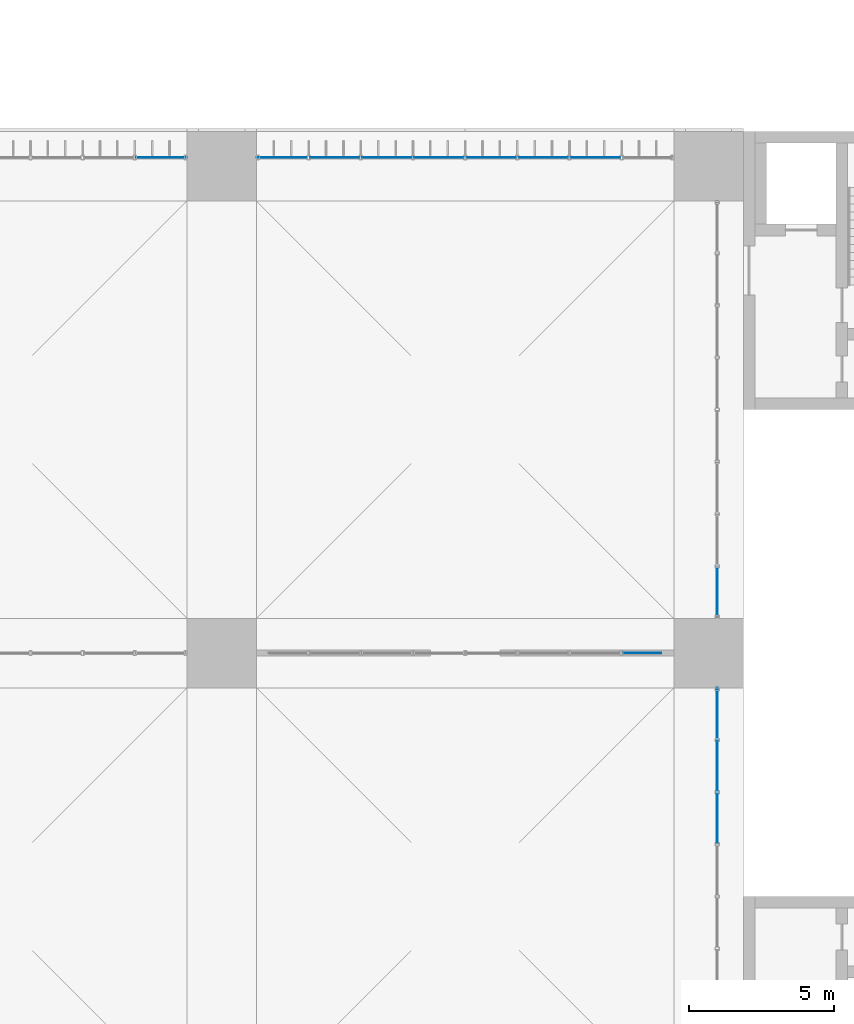
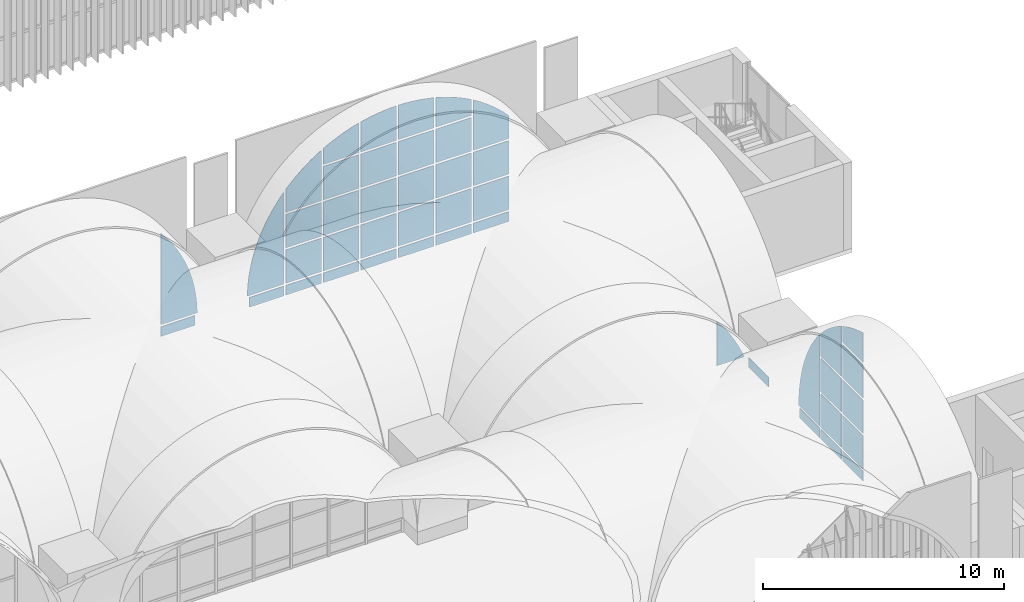
# One storey, part 93 of 169: 45 plates, 5 elements without a shape of their own.
"""IFC4 building model written with IfcOpenShell, lengths in metres."""

from ifc_helpers import new_model, si_unit, direction, frame, origin, place, context, subcontext, project, spatial, polyline, outline, extrude, material, layer, layer_set, type_object, element, aggregate, save


model = new_model("IFC4")

# Units and contexts
model_context = context("Model", 3, precision=1e-05, world=origin(), true_north=direction((0.0, 1.0)))
body_context = subcontext(model_context, "Body", "Model", "MODEL_VIEW")
ifc_project = project(units=[si_unit("LENGTHUNIT", "METRE"), si_unit("AREAUNIT", "SQUARE_METRE"), si_unit("VOLUMEUNIT", "CUBIC_METRE"), si_unit("PLANEANGLEUNIT", "RADIAN"), si_unit("MASSUNIT", "GRAM", prefix="KILO")], contexts=[model_context])

# Site, building, storey
site_placement = place(None, origin())
site = spatial("IfcSite", under=ifc_project, at=site_placement, CompositionType="ELEMENT")
building_placement = place(site_placement, origin())
building = spatial("IfcBuilding", under=site, at=building_placement, Name="Verrick Yard Athletic Hall", CompositionType="ELEMENT")
storey_placement = place(building_placement, frame((0.0, 0.0, 4.39990234375)))
storey = spatial("IfcBuildingStorey", under=building, at=storey_placement, Name="L01", CompositionType="ELEMENT", Elevation=4.39990234375)

# Curtain wall, plates
ifc_material_1 = material(Name="Aluminium and glass curtain wall", Category="aluminium")
ifc_layer_1 = layer(ifc_material_1, 0.14990234375)
ifc_layer_set_1 = layer_set([ifc_layer_1], Name="Arcade glazing arch")
curtain_wall_type_1 = type_object("IfcCurtainWallType", Name="Arcade glazing arch", PredefinedType="NOTDEFINED", material=ifc_layer_set_1)
curtain_wall_1_placement = place(storey_placement, origin())
curtain_wall_1 = element("IfcCurtainWall", 1, at=curtain_wall_1_placement, inside=storey, type_object=curtain_wall_type_1, Name="Arcade glazing N6", PredefinedType="NOTDEFINED")
ifc_material_2 = material(Name="Laminated glass 28 mm", Category="glass")
ifc_layer_2 = layer(ifc_material_2, 0.028076171875)
ifc_layer_set_2 = layer_set([ifc_layer_2], Name="Curtain wall glass panel")
plate_type = type_object("IfcPlateType", Name="Curtain wall glass panel", PredefinedType="CURTAIN_PANEL", material=ifc_layer_set_2)
plate_1_placement = place(storey_placement, frame((125.199951171875, 53.10009765625, 0.101806640625), z_axis=(0.0, 0.0, 1.0), x_axis=(1.0, 0.0, 0.0)))
plate_1 = element("IfcPlate", 2, at=plate_1_placement, type_object=plate_type, Name="Arcade glazing N6 panel 31", PredefinedType="CURTAIN_PANEL", context=body_context, shape_type="SweptSolid", body=[
    extrude(outline(polyline([(14.2978515625, 0.0), (14.2978515625, 0.49755859375), (12.65087890625, 0.49755859375), (12.65087890625, 0.0), (14.2978515625, 0.0)])), frame((0.0, 0.01416015625, 0.0), z_axis=(0.0, -1.0, 0.0), x_axis=(1.0, 0.0, 0.0)), (0.0, 0.0, 1.0), 0.028076171875),
])
plate_2_placement = place(storey_placement, frame((125.199951171875, 53.10009765625, 0.700927734375), z_axis=(0.0, 0.0, 1.0), x_axis=(1.0, 0.0, 0.0)))
plate_2 = element("IfcPlate", 3, at=plate_2_placement, type_object=plate_type, Name="Arcade glazing N6 panel 32", PredefinedType="CURTAIN_PANEL", context=body_context, shape_type="SweptSolid", body=[
    extrude(outline(polyline([(14.39892578125, 0.0), (14.39306640625, 0.26318359375), (14.37255859375, 0.57666015625), (14.33837890625, 0.888916015625), (14.29052734375, 1.199462890625), (14.229248046875, 1.507568359375), (14.15478515625, 1.812744140625), (14.06689453125, 2.1142578125), (13.9658203125, 2.41162109375), (13.851806640625, 2.70458984375), (13.725341796875, 2.9921875), (13.58642578125, 3.273681640625), (13.435302734375, 3.549072265625), (13.2724609375, 3.81787109375), (13.097900390625, 4.078857421875), (12.912109375, 4.332275390625), (12.715576171875, 4.5771484375), (12.65087890625, 4.651123046875), (12.65087890625, 0.0), (14.39892578125, 0.0)])), frame((0.0, 0.01416015625, 0.0), z_axis=(0.0, -1.0, 0.0), x_axis=(1.0, 0.0, 0.0)), (0.0, 0.0, 1.0), 0.028076171875),
])
aggregate(curtain_wall_1, [plate_1, plate_2])

curtain_wall_2_placement = place(storey_placement, origin())
curtain_wall_2 = element("IfcCurtainWall", 4, at=curtain_wall_2_placement, inside=storey, type_object=curtain_wall_type_1, Name="Arcade glazing N7", PredefinedType="NOTDEFINED")
plate_3_placement = place(storey_placement, frame((142.0, 53.10009765625, 0.101806640625), z_axis=(0.0, 0.0, 1.0), x_axis=(1.0, 0.0, 0.0)))
plate_3 = element("IfcPlate", 5, at=plate_3_placement, type_object=plate_type, Name="Arcade glazing N7 panel 1", PredefinedType="CURTAIN_PANEL", context=body_context, shape_type="SweptSolid", body=[
    extrude(outline(polyline([(1.749267578125, 0.0), (1.749267578125, 0.49755859375), (0.10205078125, 0.49755859375), (0.10205078125, 0.0), (1.749267578125, 0.0)])), frame((0.0, 0.01416015625, 0.0), z_axis=(0.0, -1.0, 0.0), x_axis=(1.0, 0.0, 0.0)), (0.0, 0.0, 1.0), 0.028076171875),
])
plate_4_placement = place(storey_placement, frame((142.0, 53.10009765625, 0.700927734375), z_axis=(0.0, 0.0, 1.0), x_axis=(1.0, 0.0, 0.0)))
plate_4 = element("IfcPlate", 6, at=plate_4_placement, type_object=plate_type, Name="Arcade glazing N7 panel 2", PredefinedType="CURTAIN_PANEL", context=body_context, shape_type="SweptSolid", body=[
    extrude(outline(polyline([(1.749267578125, 4.651123046875), (1.6845703125, 4.5771484375), (1.48779296875, 4.332275390625), (1.302001953125, 4.078857421875), (1.127685546875, 3.81787109375), (0.964599609375, 3.549072265625), (0.8134765625, 3.273681640625), (0.674560546875, 2.9921875), (0.548095703125, 2.70458984375), (0.43408203125, 2.41162109375), (0.333251953125, 2.1142578125), (0.245361328125, 1.812744140625), (0.170654296875, 1.507568359375), (0.109375, 1.199462890625), (0.0615234375, 0.888916015625), (0.02734375, 0.57666015625), (0.0068359375, 0.26318359375), (0.001220703125, 0.0), (1.749267578125, 0.0), (1.749267578125, 4.651123046875)])), frame((0.0, 0.01416015625, 0.0), z_axis=(0.0, -1.0, 0.0), x_axis=(1.0, 0.0, 0.0)), (0.0, 0.0, 1.0), 0.028076171875),
])
plate_5_placement = place(storey_placement, frame((142.0, 53.10009765625, 0.101806640625), z_axis=(0.0, 0.0, 1.0), x_axis=(1.0, 0.0, 0.0)))
plate_5 = element("IfcPlate", 7, at=plate_5_placement, type_object=plate_type, Name="Arcade glazing N7 panel 3", PredefinedType="CURTAIN_PANEL", context=body_context, shape_type="SweptSolid", body=[
    extrude(outline(polyline([(3.54931640625, 0.0), (3.54931640625, 0.49755859375), (1.850830078125, 0.49755859375), (1.850830078125, 0.0), (3.54931640625, 0.0)])), frame((0.0, 0.01416015625, 0.0), z_axis=(0.0, -1.0, 0.0), x_axis=(1.0, 0.0, 0.0)), (0.0, 0.0, 1.0), 0.028076171875),
])
plate_6_placement = place(storey_placement, frame((142.0, 53.10009765625, 0.700927734375), z_axis=(0.0, 0.0, 1.0), x_axis=(1.0, 0.0, 0.0)))
plate_6 = element("IfcPlate", 8, at=plate_6_placement, type_object=plate_type, Name="Arcade glazing N7 panel 4", PredefinedType="CURTAIN_PANEL", context=body_context, shape_type="SweptSolid", body=[
    extrude(outline(polyline([(3.54931640625, 0.0), (3.54931640625, 1.698486328125), (1.850830078125, 1.698486328125), (1.850830078125, 0.0), (3.54931640625, 0.0)])), frame((0.0, 0.01416015625, 0.0), z_axis=(0.0, -1.0, 0.0), x_axis=(1.0, 0.0, 0.0)), (0.0, 0.0, 1.0), 0.028076171875),
])
plate_7_placement = place(storey_placement, frame((142.0, 53.10009765625, 2.5009765625), z_axis=(0.0, 0.0, 1.0), x_axis=(1.0, 0.0, 0.0)))
plate_7 = element("IfcPlate", 9, at=plate_7_placement, type_object=plate_type, Name="Arcade glazing N7 panel 5", PredefinedType="CURTAIN_PANEL", context=body_context, shape_type="SweptSolid", body=[
    extrude(outline(polyline([(3.54931640625, 0.0), (3.54931640625, 1.6982421875), (1.850830078125, 1.6982421875), (1.850830078125, 0.0), (3.54931640625, 0.0)])), frame((0.0, 0.01416015625, 0.0), z_axis=(0.0, -1.0, 0.0), x_axis=(1.0, 0.0, 0.0)), (0.0, 0.0, 1.0), 0.028076171875),
])
plate_8_placement = place(storey_placement, frame((142.0, 53.10009765625, 4.30078125), z_axis=(0.0, 0.0, 1.0), x_axis=(1.0, 0.0, 0.0)))
plate_8 = element("IfcPlate", 10, at=plate_8_placement, type_object=plate_type, Name="Arcade glazing N7 panel 6", PredefinedType="CURTAIN_PANEL", context=body_context, shape_type="SweptSolid", body=[
    extrude(outline(polyline([(3.54931640625, 2.553955078125), (3.331298828125, 2.421630859375), (3.0703125, 2.247314453125), (2.81689453125, 2.0615234375), (2.572021484375, 1.86474609375), (2.335693359375, 1.65771484375), (2.10888671875, 1.4404296875), (1.8916015625, 1.213623046875), (1.850830078125, 1.1669921875), (1.850830078125, 0.0), (3.54931640625, 0.0), (3.54931640625, 2.553955078125)])), frame((0.0, 0.01416015625, 0.0), z_axis=(0.0, -1.0, 0.0), x_axis=(1.0, 0.0, 0.0)), (0.0, 0.0, 1.0), 0.028076171875),
])
plate_9_placement = place(storey_placement, frame((142.0, 53.10009765625, 0.101806640625), z_axis=(0.0, 0.0, 1.0), x_axis=(1.0, 0.0, 0.0)))
plate_9 = element("IfcPlate", 11, at=plate_9_placement, type_object=plate_type, Name="Arcade glazing N7 panel 7", PredefinedType="CURTAIN_PANEL", context=body_context, shape_type="SweptSolid", body=[
    extrude(outline(polyline([(5.34912109375, 0.0), (5.34912109375, 0.49755859375), (3.65087890625, 0.49755859375), (3.65087890625, 0.0), (5.34912109375, 0.0)])), frame((0.0, 0.01416015625, 0.0), z_axis=(0.0, -1.0, 0.0), x_axis=(1.0, 0.0, 0.0)), (0.0, 0.0, 1.0), 0.028076171875),
])
plate_10_placement = place(storey_placement, frame((142.0, 53.10009765625, 0.700927734375), z_axis=(0.0, 0.0, 1.0), x_axis=(1.0, 0.0, 0.0)))
plate_10 = element("IfcPlate", 12, at=plate_10_placement, type_object=plate_type, Name="Arcade glazing N7 panel 8", PredefinedType="CURTAIN_PANEL", context=body_context, shape_type="SweptSolid", body=[
    extrude(outline(polyline([(5.34912109375, 0.0), (5.34912109375, 1.698486328125), (3.65087890625, 1.698486328125), (3.65087890625, 0.0), (5.34912109375, 0.0)])), frame((0.0, 0.01416015625, 0.0), z_axis=(0.0, -1.0, 0.0), x_axis=(1.0, 0.0, 0.0)), (0.0, 0.0, 1.0), 0.028076171875),
])
plate_11_placement = place(storey_placement, frame((142.0, 53.10009765625, 2.5009765625), z_axis=(0.0, 0.0, 1.0), x_axis=(1.0, 0.0, 0.0)))
plate_11 = element("IfcPlate", 13, at=plate_11_placement, type_object=plate_type, Name="Arcade glazing N7 panel 9", PredefinedType="CURTAIN_PANEL", context=body_context, shape_type="SweptSolid", body=[
    extrude(outline(polyline([(5.34912109375, 0.0), (5.34912109375, 1.6982421875), (3.65087890625, 1.6982421875), (3.65087890625, 0.0), (5.34912109375, 0.0)])), frame((0.0, 0.01416015625, 0.0), z_axis=(0.0, -1.0, 0.0), x_axis=(1.0, 0.0, 0.0)), (0.0, 0.0, 1.0), 0.028076171875),
])
plate_12_placement = place(storey_placement, frame((142.0, 53.10009765625, 4.30078125), z_axis=(0.0, 0.0, 1.0), x_axis=(1.0, 0.0, 0.0)))
plate_12 = element("IfcPlate", 14, at=plate_12_placement, type_object=plate_type, Name="Arcade glazing N7 panel 10", PredefinedType="CURTAIN_PANEL", context=body_context, shape_type="SweptSolid", body=[
    extrude(outline(polyline([(5.34912109375, 0.0), (5.34912109375, 1.698486328125), (3.65087890625, 1.698486328125), (3.65087890625, 0.0), (5.34912109375, 0.0)])), frame((0.0, 0.01416015625, 0.0), z_axis=(0.0, -1.0, 0.0), x_axis=(1.0, 0.0, 0.0)), (0.0, 0.0, 1.0), 0.028076171875),
])
plate_13_placement = place(storey_placement, frame((142.0, 53.10009765625, 6.100830078125), z_axis=(0.0, 0.0, 1.0), x_axis=(1.0, 0.0, 0.0)))
plate_13 = element("IfcPlate", 15, at=plate_13_placement, type_object=plate_type, Name="Arcade glazing N7 panel 11", PredefinedType="CURTAIN_PANEL", context=body_context, shape_type="SweptSolid", body=[
    extrude(outline(polyline([(5.34912109375, 1.507080078125), (5.33642578125, 1.50390625), (5.034912109375, 1.416015625), (4.737548828125, 1.315185546875), (4.444580078125, 1.201171875), (4.156982421875, 1.07470703125), (3.87548828125, 0.935791015625), (3.65087890625, 0.8125), (3.65087890625, 0.0), (5.34912109375, 0.0), (5.34912109375, 1.507080078125)])), frame((0.0, 0.01416015625, 0.0), z_axis=(0.0, -1.0, 0.0), x_axis=(1.0, 0.0, 0.0)), (0.0, 0.0, 1.0), 0.028076171875),
])
plate_14_placement = place(storey_placement, frame((142.0, 53.10009765625, 0.101806640625), z_axis=(0.0, 0.0, 1.0), x_axis=(1.0, 0.0, 0.0)))
plate_14 = element("IfcPlate", 16, at=plate_14_placement, type_object=plate_type, Name="Arcade glazing N7 panel 12", PredefinedType="CURTAIN_PANEL", context=body_context, shape_type="SweptSolid", body=[
    extrude(outline(polyline([(7.149169921875, 0.0), (7.149169921875, 0.49755859375), (5.45068359375, 0.49755859375), (5.45068359375, 0.0), (7.149169921875, 0.0)])), frame((0.0, 0.01416015625, 0.0), z_axis=(0.0, -1.0, 0.0), x_axis=(1.0, 0.0, 0.0)), (0.0, 0.0, 1.0), 0.028076171875),
])
plate_15_placement = place(storey_placement, frame((142.0, 53.10009765625, 0.700927734375), z_axis=(0.0, 0.0, 1.0), x_axis=(1.0, 0.0, 0.0)))
plate_15 = element("IfcPlate", 17, at=plate_15_placement, type_object=plate_type, Name="Arcade glazing N7 panel 13", PredefinedType="CURTAIN_PANEL", context=body_context, shape_type="SweptSolid", body=[
    extrude(outline(polyline([(7.149169921875, 0.0), (7.149169921875, 1.698486328125), (5.45068359375, 1.698486328125), (5.45068359375, 0.0), (7.149169921875, 0.0)])), frame((0.0, 0.01416015625, 0.0), z_axis=(0.0, -1.0, 0.0), x_axis=(1.0, 0.0, 0.0)), (0.0, 0.0, 1.0), 0.028076171875),
])
plate_16_placement = place(storey_placement, frame((142.0, 53.10009765625, 2.5009765625), z_axis=(0.0, 0.0, 1.0), x_axis=(1.0, 0.0, 0.0)))
plate_16 = element("IfcPlate", 18, at=plate_16_placement, type_object=plate_type, Name="Arcade glazing N7 panel 14", PredefinedType="CURTAIN_PANEL", context=body_context, shape_type="SweptSolid", body=[
    extrude(outline(polyline([(7.149169921875, 0.0), (7.149169921875, 1.6982421875), (5.45068359375, 1.6982421875), (5.45068359375, 0.0), (7.149169921875, 0.0)])), frame((0.0, 0.01416015625, 0.0), z_axis=(0.0, -1.0, 0.0), x_axis=(1.0, 0.0, 0.0)), (0.0, 0.0, 1.0), 0.028076171875),
])
plate_17_placement = place(storey_placement, frame((142.0, 53.10009765625, 4.30078125), z_axis=(0.0, 0.0, 1.0), x_axis=(1.0, 0.0, 0.0)))
plate_17 = element("IfcPlate", 19, at=plate_17_placement, type_object=plate_type, Name="Arcade glazing N7 panel 15", PredefinedType="CURTAIN_PANEL", context=body_context, shape_type="SweptSolid", body=[
    extrude(outline(polyline([(7.149169921875, 0.0), (7.149169921875, 1.698486328125), (5.45068359375, 1.698486328125), (5.45068359375, 0.0), (7.149169921875, 0.0)])), frame((0.0, 0.01416015625, 0.0), z_axis=(0.0, -1.0, 0.0), x_axis=(1.0, 0.0, 0.0)), (0.0, 0.0, 1.0), 0.028076171875),
])
plate_18_placement = place(storey_placement, frame((142.0, 53.10009765625, 6.100830078125), z_axis=(0.0, 0.0, 1.0), x_axis=(1.0, 0.0, 0.0)))
plate_18 = element("IfcPlate", 20, at=plate_18_placement, type_object=plate_type, Name="Arcade glazing N7 panel 16", PredefinedType="CURTAIN_PANEL", context=body_context, shape_type="SweptSolid", body=[
    extrude(outline(polyline([(7.149169921875, 1.748046875), (6.885986328125, 1.742431640625), (6.572509765625, 1.721923828125), (6.26025390625, 1.687744140625), (5.94970703125, 1.639892578125), (5.6416015625, 1.57861328125), (5.45068359375, 1.531982421875), (5.45068359375, 0.0), (7.149169921875, 0.0), (7.149169921875, 1.748046875)])), frame((0.0, 0.01416015625, 0.0), z_axis=(0.0, -1.0, 0.0), x_axis=(1.0, 0.0, 0.0)), (0.0, 0.0, 1.0), 0.028076171875),
])
plate_19_placement = place(storey_placement, frame((142.0, 53.10009765625, 0.101806640625), z_axis=(0.0, 0.0, 1.0), x_axis=(1.0, 0.0, 0.0)))
plate_19 = element("IfcPlate", 21, at=plate_19_placement, type_object=plate_type, Name="Arcade glazing N7 panel 17", PredefinedType="CURTAIN_PANEL", context=body_context, shape_type="SweptSolid", body=[
    extrude(outline(polyline([(8.94921875, 0.0), (8.94921875, 0.49755859375), (7.250732421875, 0.49755859375), (7.250732421875, 0.0), (8.94921875, 0.0)])), frame((0.0, 0.01416015625, 0.0), z_axis=(0.0, -1.0, 0.0), x_axis=(1.0, 0.0, 0.0)), (0.0, 0.0, 1.0), 0.028076171875),
])
plate_20_placement = place(storey_placement, frame((142.0, 53.10009765625, 0.700927734375), z_axis=(0.0, 0.0, 1.0), x_axis=(1.0, 0.0, 0.0)))
plate_20 = element("IfcPlate", 22, at=plate_20_placement, type_object=plate_type, Name="Arcade glazing N7 panel 18", PredefinedType="CURTAIN_PANEL", context=body_context, shape_type="SweptSolid", body=[
    extrude(outline(polyline([(8.94921875, 0.0), (8.94921875, 1.698486328125), (7.250732421875, 1.698486328125), (7.250732421875, 0.0), (8.94921875, 0.0)])), frame((0.0, 0.01416015625, 0.0), z_axis=(0.0, -1.0, 0.0), x_axis=(1.0, 0.0, 0.0)), (0.0, 0.0, 1.0), 0.028076171875),
])
plate_21_placement = place(storey_placement, frame((142.0, 53.10009765625, 2.5009765625), z_axis=(0.0, 0.0, 1.0), x_axis=(1.0, 0.0, 0.0)))
plate_21 = element("IfcPlate", 23, at=plate_21_placement, type_object=plate_type, Name="Arcade glazing N7 panel 19", PredefinedType="CURTAIN_PANEL", context=body_context, shape_type="SweptSolid", body=[
    extrude(outline(polyline([(8.94921875, 0.0), (8.94921875, 1.6982421875), (7.250732421875, 1.6982421875), (7.250732421875, 0.0), (8.94921875, 0.0)])), frame((0.0, 0.01416015625, 0.0), z_axis=(0.0, -1.0, 0.0), x_axis=(1.0, 0.0, 0.0)), (0.0, 0.0, 1.0), 0.028076171875),
])
plate_22_placement = place(storey_placement, frame((142.0, 53.10009765625, 4.30078125), z_axis=(0.0, 0.0, 1.0), x_axis=(1.0, 0.0, 0.0)))
plate_22 = element("IfcPlate", 24, at=plate_22_placement, type_object=plate_type, Name="Arcade glazing N7 panel 20", PredefinedType="CURTAIN_PANEL", context=body_context, shape_type="SweptSolid", body=[
    extrude(outline(polyline([(8.94921875, 0.0), (8.94921875, 1.698486328125), (7.250732421875, 1.698486328125), (7.250732421875, 0.0), (8.94921875, 0.0)])), frame((0.0, 0.01416015625, 0.0), z_axis=(0.0, -1.0, 0.0), x_axis=(1.0, 0.0, 0.0)), (0.0, 0.0, 1.0), 0.028076171875),
])
plate_23_placement = place(storey_placement, frame((142.0, 53.10009765625, 6.100830078125), z_axis=(0.0, 0.0, 1.0), x_axis=(1.0, 0.0, 0.0)))
plate_23 = element("IfcPlate", 25, at=plate_23_placement, type_object=plate_type, Name="Arcade glazing N7 panel 21", PredefinedType="CURTAIN_PANEL", context=body_context, shape_type="SweptSolid", body=[
    extrude(outline(polyline([(8.94921875, 1.531982421875), (8.75830078125, 1.57861328125), (8.4501953125, 1.639892578125), (8.139892578125, 1.687744140625), (7.827392578125, 1.721923828125), (7.51416015625, 1.742431640625), (7.250732421875, 1.748046875), (7.250732421875, 0.0), (8.94921875, 0.0), (8.94921875, 1.531982421875)])), frame((0.0, 0.01416015625, 0.0), z_axis=(0.0, -1.0, 0.0), x_axis=(1.0, 0.0, 0.0)), (0.0, 0.0, 1.0), 0.028076171875),
])
plate_24_placement = place(storey_placement, frame((142.0, 53.10009765625, 0.101806640625), z_axis=(0.0, 0.0, 1.0), x_axis=(1.0, 0.0, 0.0)))
plate_24 = element("IfcPlate", 26, at=plate_24_placement, type_object=plate_type, Name="Arcade glazing N7 panel 22", PredefinedType="CURTAIN_PANEL", context=body_context, shape_type="SweptSolid", body=[
    extrude(outline(polyline([(10.749267578125, 0.0), (10.749267578125, 0.49755859375), (9.05078125, 0.49755859375), (9.05078125, 0.0), (10.749267578125, 0.0)])), frame((0.0, 0.01416015625, 0.0), z_axis=(0.0, -1.0, 0.0), x_axis=(1.0, 0.0, 0.0)), (0.0, 0.0, 1.0), 0.028076171875),
])
plate_25_placement = place(storey_placement, frame((142.0, 53.10009765625, 0.700927734375), z_axis=(0.0, 0.0, 1.0), x_axis=(1.0, 0.0, 0.0)))
plate_25 = element("IfcPlate", 27, at=plate_25_placement, type_object=plate_type, Name="Arcade glazing N7 panel 23", PredefinedType="CURTAIN_PANEL", context=body_context, shape_type="SweptSolid", body=[
    extrude(outline(polyline([(10.749267578125, 0.0), (10.749267578125, 1.698486328125), (9.05078125, 1.698486328125), (9.05078125, 0.0), (10.749267578125, 0.0)])), frame((0.0, 0.01416015625, 0.0), z_axis=(0.0, -1.0, 0.0), x_axis=(1.0, 0.0, 0.0)), (0.0, 0.0, 1.0), 0.028076171875),
])
plate_26_placement = place(storey_placement, frame((142.0, 53.10009765625, 2.5009765625), z_axis=(0.0, 0.0, 1.0), x_axis=(1.0, 0.0, 0.0)))
plate_26 = element("IfcPlate", 28, at=plate_26_placement, type_object=plate_type, Name="Arcade glazing N7 panel 24", PredefinedType="CURTAIN_PANEL", context=body_context, shape_type="SweptSolid", body=[
    extrude(outline(polyline([(10.749267578125, 0.0), (10.749267578125, 1.6982421875), (9.05078125, 1.6982421875), (9.05078125, 0.0), (10.749267578125, 0.0)])), frame((0.0, 0.01416015625, 0.0), z_axis=(0.0, -1.0, 0.0), x_axis=(1.0, 0.0, 0.0)), (0.0, 0.0, 1.0), 0.028076171875),
])
plate_27_placement = place(storey_placement, frame((142.0, 53.10009765625, 4.30078125), z_axis=(0.0, 0.0, 1.0), x_axis=(1.0, 0.0, 0.0)))
plate_27 = element("IfcPlate", 29, at=plate_27_placement, type_object=plate_type, Name="Arcade glazing N7 panel 25", PredefinedType="CURTAIN_PANEL", context=body_context, shape_type="SweptSolid", body=[
    extrude(outline(polyline([(10.749267578125, 0.0), (10.749267578125, 1.698486328125), (9.05078125, 1.698486328125), (9.05078125, 0.0), (10.749267578125, 0.0)])), frame((0.0, 0.01416015625, 0.0), z_axis=(0.0, -1.0, 0.0), x_axis=(1.0, 0.0, 0.0)), (0.0, 0.0, 1.0), 0.028076171875),
])
plate_28_placement = place(storey_placement, frame((142.0, 53.10009765625, 6.100830078125), z_axis=(0.0, 0.0, 1.0), x_axis=(1.0, 0.0, 0.0)))
plate_28 = element("IfcPlate", 30, at=plate_28_placement, type_object=plate_type, Name="Arcade glazing N7 panel 26", PredefinedType="CURTAIN_PANEL", context=body_context, shape_type="SweptSolid", body=[
    extrude(outline(polyline([(10.749267578125, 0.8125), (10.524658203125, 0.935791015625), (10.242919921875, 1.07470703125), (9.955322265625, 1.201171875), (9.66259765625, 1.315185546875), (9.364990234375, 1.416015625), (9.0634765625, 1.50390625), (9.05078125, 1.507080078125), (9.05078125, 0.0), (10.749267578125, 0.0), (10.749267578125, 0.8125)])), frame((0.0, 0.01416015625, 0.0), z_axis=(0.0, -1.0, 0.0), x_axis=(1.0, 0.0, 0.0)), (0.0, 0.0, 1.0), 0.028076171875),
])
plate_29_placement = place(storey_placement, frame((142.0, 53.10009765625, 0.101806640625), z_axis=(0.0, 0.0, 1.0), x_axis=(1.0, 0.0, 0.0)))
plate_29 = element("IfcPlate", 31, at=plate_29_placement, type_object=plate_type, Name="Arcade glazing N7 panel 27", PredefinedType="CURTAIN_PANEL", context=body_context, shape_type="SweptSolid", body=[
    extrude(outline(polyline([(12.54931640625, 0.0), (12.54931640625, 0.49755859375), (10.850830078125, 0.49755859375), (10.850830078125, 0.0), (12.54931640625, 0.0)])), frame((0.0, 0.01416015625, 0.0), z_axis=(0.0, -1.0, 0.0), x_axis=(1.0, 0.0, 0.0)), (0.0, 0.0, 1.0), 0.028076171875),
])
plate_30_placement = place(storey_placement, frame((142.0, 53.10009765625, 0.700927734375), z_axis=(0.0, 0.0, 1.0), x_axis=(1.0, 0.0, 0.0)))
plate_30 = element("IfcPlate", 32, at=plate_30_placement, type_object=plate_type, Name="Arcade glazing N7 panel 28", PredefinedType="CURTAIN_PANEL", context=body_context, shape_type="SweptSolid", body=[
    extrude(outline(polyline([(12.54931640625, 0.0), (12.54931640625, 1.698486328125), (10.850830078125, 1.698486328125), (10.850830078125, 0.0), (12.54931640625, 0.0)])), frame((0.0, 0.01416015625, 0.0), z_axis=(0.0, -1.0, 0.0), x_axis=(1.0, 0.0, 0.0)), (0.0, 0.0, 1.0), 0.028076171875),
])
plate_31_placement = place(storey_placement, frame((142.0, 53.10009765625, 2.5009765625), z_axis=(0.0, 0.0, 1.0), x_axis=(1.0, 0.0, 0.0)))
plate_31 = element("IfcPlate", 33, at=plate_31_placement, type_object=plate_type, Name="Arcade glazing N7 panel 29", PredefinedType="CURTAIN_PANEL", context=body_context, shape_type="SweptSolid", body=[
    extrude(outline(polyline([(12.54931640625, 0.0), (12.54931640625, 1.6982421875), (10.850830078125, 1.6982421875), (10.850830078125, 0.0), (12.54931640625, 0.0)])), frame((0.0, 0.01416015625, 0.0), z_axis=(0.0, -1.0, 0.0), x_axis=(1.0, 0.0, 0.0)), (0.0, 0.0, 1.0), 0.028076171875),
])
plate_32_placement = place(storey_placement, frame((142.0, 53.10009765625, 4.30078125), z_axis=(0.0, 0.0, 1.0), x_axis=(1.0, 0.0, 0.0)))
plate_32 = element("IfcPlate", 34, at=plate_32_placement, type_object=plate_type, Name="Arcade glazing N7 panel 30", PredefinedType="CURTAIN_PANEL", context=body_context, shape_type="SweptSolid", body=[
    extrude(outline(polyline([(12.54931640625, 1.1669921875), (12.50830078125, 1.213623046875), (12.291259765625, 1.4404296875), (12.064208984375, 1.65771484375), (11.828125, 1.86474609375), (11.5830078125, 2.0615234375), (11.329833984375, 2.247314453125), (11.068603515625, 2.421630859375), (10.850830078125, 2.553955078125), (10.850830078125, 0.0), (12.54931640625, 0.0), (12.54931640625, 1.1669921875)])), frame((0.0, 0.01416015625, 0.0), z_axis=(0.0, -1.0, 0.0), x_axis=(1.0, 0.0, 0.0)), (0.0, 0.0, 1.0), 0.028076171875),
])
aggregate(curtain_wall_2, [plate_3, plate_4, plate_5, plate_6, plate_7, plate_8, plate_9, plate_10, plate_11, plate_12, plate_13, plate_14, plate_15, plate_16, plate_17, plate_18, plate_19, plate_20, plate_21, plate_22, plate_23, plate_24, plate_25, plate_26, plate_27, plate_28, plate_29, plate_30, plate_31, plate_32])

# Curtain wall, plate
ifc_layer_3 = layer(ifc_material_1, 0.14990234375)
ifc_layer_set_3 = layer_set([ifc_layer_3], Name="Concourse door screen arch")
curtain_wall_type_2 = type_object("IfcCurtainWallType", Name="Concourse door screen arch", PredefinedType="NOTDEFINED", material=ifc_layer_set_3)
curtain_wall_3_placement = place(storey_placement, origin())
curtain_wall_3 = element("IfcCurtainWall", 35, at=curtain_wall_3_placement, inside=storey, type_object=curtain_wall_type_2, Name="Concourse screen 7", PredefinedType="NOTDEFINED")
plate_33_placement = place(storey_placement, frame((142.0, 36.0, 3.101806640625), z_axis=(0.0, 0.0, 1.0), x_axis=(1.0, 0.0, 0.0)))
plate_33 = element("IfcPlate", 36, at=plate_33_placement, type_object=plate_type, Name="Concourse screen 7 panel 18", PredefinedType="CURTAIN_PANEL", context=body_context, shape_type="SweptSolid", body=[
    extrude(outline(polyline([(13.969482421875, 0.0), (13.9658203125, 0.0107421875), (13.851806640625, 0.3037109375), (13.725341796875, 0.59130859375), (13.58642578125, 0.872802734375), (13.435302734375, 1.148193359375), (13.2724609375, 1.4169921875), (13.097900390625, 1.677978515625), (12.912109375, 1.931396484375), (12.715576171875, 2.17626953125), (12.65087890625, 2.250244140625), (12.65087890625, 0.0), (13.969482421875, 0.0)])), frame((0.0, 0.01416015625, 0.0), z_axis=(0.0, -1.0, 0.0), x_axis=(1.0, 0.0, 0.0)), (0.0, 0.0, 1.0), 0.028076171875),
])
aggregate(curtain_wall_3, [plate_33])

# Curtain wall, plates
ifc_layer_4 = layer(ifc_material_1, 0.14990234375)
ifc_layer_set_4 = layer_set([ifc_layer_4], Name="East end glazing arch")
curtain_wall_type_3 = type_object("IfcCurtainWallType", Name="East end glazing arch", PredefinedType="NOTDEFINED", material=ifc_layer_set_4)
curtain_wall_4_placement = place(storey_placement, origin())
curtain_wall_4 = element("IfcCurtainWall", 37, at=curtain_wall_4_placement, inside=storey, type_object=curtain_wall_type_3, Name="East end glazing 1", PredefinedType="NOTDEFINED")
plate_34_placement = place(storey_placement, frame((157.89990234375, 20.39990234375, 0.101806640625), z_axis=(0.0, 0.0, 1.0), x_axis=(0.0, 1.0, 0.0)))
plate_34 = element("IfcPlate", 38, at=plate_34_placement, type_object=plate_type, Name="East end glazing 1 panel 22", PredefinedType="CURTAIN_PANEL", context=body_context, shape_type="SweptSolid", body=[
    extrude(outline(polyline([(10.749267578125, 0.0), (10.749267578125, 0.49755859375), (9.05078125, 0.49755859375), (9.05078125, 0.0), (10.749267578125, 0.0)])), frame((0.0, 0.01416015625, 0.0), z_axis=(0.0, -1.0, 0.0), x_axis=(1.0, 0.0, 0.0)), (0.0, 0.0, 1.0), 0.028076171875),
])
plate_35_placement = place(storey_placement, frame((157.89990234375, 20.39990234375, 0.700927734375), z_axis=(0.0, 0.0, 1.0), x_axis=(0.0, 1.0, 0.0)))
plate_35 = element("IfcPlate", 39, at=plate_35_placement, type_object=plate_type, Name="East end glazing 1 panel 23", PredefinedType="CURTAIN_PANEL", context=body_context, shape_type="SweptSolid", body=[
    extrude(outline(polyline([(10.749267578125, 0.0), (10.749267578125, 1.698486328125), (9.05078125, 1.698486328125), (9.05078125, 0.0), (10.749267578125, 0.0)])), frame((0.0, 0.01416015625, 0.0), z_axis=(0.0, -1.0, 0.0), x_axis=(1.0, 0.0, 0.0)), (0.0, 0.0, 1.0), 0.028076171875),
])
plate_36_placement = place(storey_placement, frame((157.89990234375, 20.39990234375, 2.5009765625), z_axis=(0.0, 0.0, 1.0), x_axis=(0.0, 1.0, 0.0)))
plate_36 = element("IfcPlate", 40, at=plate_36_placement, type_object=plate_type, Name="East end glazing 1 panel 24", PredefinedType="CURTAIN_PANEL", context=body_context, shape_type="SweptSolid", body=[
    extrude(outline(polyline([(10.749267578125, 0.0), (10.749267578125, 1.6982421875), (9.05078125, 1.6982421875), (9.05078125, 0.0), (10.749267578125, 0.0)])), frame((0.0, 0.01416015625, 0.0), z_axis=(0.0, -1.0, 0.0), x_axis=(1.0, 0.0, 0.0)), (0.0, 0.0, 1.0), 0.028076171875),
])
plate_37_placement = place(storey_placement, frame((157.89990234375, 20.39990234375, 4.30078125), z_axis=(0.0, 0.0, 1.0), x_axis=(0.0, 1.0, 0.0)))
plate_37 = element("IfcPlate", 41, at=plate_37_placement, type_object=plate_type, Name="East end glazing 1 panel 25", PredefinedType="CURTAIN_PANEL", context=body_context, shape_type="SweptSolid", body=[
    extrude(outline(polyline([(10.749267578125, 0.0), (10.749267578125, 1.698486328125), (9.05078125, 1.698486328125), (9.05078125, 0.0), (10.749267578125, 0.0)])), frame((0.0, 0.01416015625, 0.0), z_axis=(0.0, -1.0, 0.0), x_axis=(1.0, 0.0, 0.0)), (0.0, 0.0, 1.0), 0.028076171875),
])
plate_38_placement = place(storey_placement, frame((157.89990234375, 20.39990234375, 6.100830078125), z_axis=(0.0, 0.0, 1.0), x_axis=(0.0, 1.0, 0.0)))
plate_38 = element("IfcPlate", 42, at=plate_38_placement, type_object=plate_type, Name="East end glazing 1 panel 26", PredefinedType="CURTAIN_PANEL", context=body_context, shape_type="SweptSolid", body=[
    extrude(outline(polyline([(10.749267578125, 0.8125), (10.524658203125, 0.935791015625), (10.242919921875, 1.07470703125), (9.955322265625, 1.201171875), (9.66259765625, 1.315185546875), (9.364990234375, 1.416015625), (9.0634765625, 1.50390625), (9.05078125, 1.507080078125), (9.05078125, 0.0), (10.749267578125, 0.0), (10.749267578125, 0.8125)])), frame((0.0, 0.01416015625, 0.0), z_axis=(0.0, -1.0, 0.0), x_axis=(1.0, 0.0, 0.0)), (0.0, 0.0, 1.0), 0.028076171875),
])
plate_39_placement = place(storey_placement, frame((157.89990234375, 20.39990234375, 0.101806640625), z_axis=(0.0, 0.0, 1.0), x_axis=(0.0, 1.0, 0.0)))
plate_39 = element("IfcPlate", 43, at=plate_39_placement, type_object=plate_type, Name="East end glazing 1 panel 27", PredefinedType="CURTAIN_PANEL", context=body_context, shape_type="SweptSolid", body=[
    extrude(outline(polyline([(12.54931640625, 0.0), (12.54931640625, 0.49755859375), (10.850830078125, 0.49755859375), (10.850830078125, 0.0), (12.54931640625, 0.0)])), frame((0.0, 0.01416015625, 0.0), z_axis=(0.0, -1.0, 0.0), x_axis=(1.0, 0.0, 0.0)), (0.0, 0.0, 1.0), 0.028076171875),
])
plate_40_placement = place(storey_placement, frame((157.89990234375, 20.39990234375, 0.700927734375), z_axis=(0.0, 0.0, 1.0), x_axis=(0.0, 1.0, 0.0)))
plate_40 = element("IfcPlate", 44, at=plate_40_placement, type_object=plate_type, Name="East end glazing 1 panel 28", PredefinedType="CURTAIN_PANEL", context=body_context, shape_type="SweptSolid", body=[
    extrude(outline(polyline([(12.54931640625, 0.0), (12.54931640625, 1.698486328125), (10.850830078125, 1.698486328125), (10.850830078125, 0.0), (12.54931640625, 0.0)])), frame((0.0, 0.01416015625, 0.0), z_axis=(0.0, -1.0, 0.0), x_axis=(1.0, 0.0, 0.0)), (0.0, 0.0, 1.0), 0.028076171875),
])
plate_41_placement = place(storey_placement, frame((157.89990234375, 20.39990234375, 2.5009765625), z_axis=(0.0, 0.0, 1.0), x_axis=(0.0, 1.0, 0.0)))
plate_41 = element("IfcPlate", 45, at=plate_41_placement, type_object=plate_type, Name="East end glazing 1 panel 29", PredefinedType="CURTAIN_PANEL", context=body_context, shape_type="SweptSolid", body=[
    extrude(outline(polyline([(12.54931640625, 0.0), (12.54931640625, 1.6982421875), (10.850830078125, 1.6982421875), (10.850830078125, 0.0), (12.54931640625, 0.0)])), frame((0.0, 0.01416015625, 0.0), z_axis=(0.0, -1.0, 0.0), x_axis=(1.0, 0.0, 0.0)), (0.0, 0.0, 1.0), 0.028076171875),
])
plate_42_placement = place(storey_placement, frame((157.89990234375, 20.39990234375, 4.30078125), z_axis=(0.0, 0.0, 1.0), x_axis=(0.0, 1.0, 0.0)))
plate_42 = element("IfcPlate", 46, at=plate_42_placement, type_object=plate_type, Name="East end glazing 1 panel 30", PredefinedType="CURTAIN_PANEL", context=body_context, shape_type="SweptSolid", body=[
    extrude(outline(polyline([(12.54931640625, 1.1669921875), (12.50830078125, 1.213623046875), (12.291259765625, 1.4404296875), (12.064208984375, 1.65771484375), (11.828125, 1.86474609375), (11.5830078125, 2.0615234375), (11.329833984375, 2.247314453125), (11.068603515625, 2.421630859375), (10.850830078125, 2.553955078125), (10.850830078125, 0.0), (12.54931640625, 0.0), (12.54931640625, 1.1669921875)])), frame((0.0, 0.01416015625, 0.0), z_axis=(0.0, -1.0, 0.0), x_axis=(1.0, 0.0, 0.0)), (0.0, 0.0, 1.0), 0.028076171875),
])
plate_43_placement = place(storey_placement, frame((157.89990234375, 20.39990234375, 0.101806640625), z_axis=(0.0, 0.0, 1.0), x_axis=(0.0, 1.0, 0.0)))
plate_43 = element("IfcPlate", 47, at=plate_43_placement, type_object=plate_type, Name="East end glazing 1 panel 31", PredefinedType="CURTAIN_PANEL", context=body_context, shape_type="SweptSolid", body=[
    extrude(outline(polyline([(14.2978515625, 0.0), (14.2978515625, 0.49755859375), (12.65087890625, 0.49755859375), (12.65087890625, 0.0), (14.2978515625, 0.0)])), frame((0.0, 0.01416015625, 0.0), z_axis=(0.0, -1.0, 0.0), x_axis=(1.0, 0.0, 0.0)), (0.0, 0.0, 1.0), 0.028076171875),
])
plate_44_placement = place(storey_placement, frame((157.89990234375, 20.39990234375, 0.700927734375), z_axis=(0.0, 0.0, 1.0), x_axis=(0.0, 1.0, 0.0)))
plate_44 = element("IfcPlate", 48, at=plate_44_placement, type_object=plate_type, Name="East end glazing 1 panel 32", PredefinedType="CURTAIN_PANEL", context=body_context, shape_type="SweptSolid", body=[
    extrude(outline(polyline([(14.39892578125, 0.0), (14.39306640625, 0.26318359375), (14.37255859375, 0.57666015625), (14.33837890625, 0.888916015625), (14.29052734375, 1.199462890625), (14.229248046875, 1.507568359375), (14.15478515625, 1.812744140625), (14.06689453125, 2.1142578125), (13.9658203125, 2.41162109375), (13.851806640625, 2.70458984375), (13.725341796875, 2.9921875), (13.58642578125, 3.273681640625), (13.435302734375, 3.549072265625), (13.2724609375, 3.81787109375), (13.097900390625, 4.078857421875), (12.912109375, 4.332275390625), (12.715576171875, 4.5771484375), (12.65087890625, 4.651123046875), (12.65087890625, 0.0), (14.39892578125, 0.0)])), frame((0.0, 0.01416015625, 0.0), z_axis=(0.0, -1.0, 0.0), x_axis=(1.0, 0.0, 0.0)), (0.0, 0.0, 1.0), 0.028076171875),
])
aggregate(curtain_wall_4, [plate_34, plate_35, plate_36, plate_37, plate_38, plate_39, plate_40, plate_41, plate_42, plate_43, plate_44])

# Curtain wall, plate
curtain_wall_5_placement = place(storey_placement, origin())
curtain_wall_5 = element("IfcCurtainWall", 49, at=curtain_wall_5_placement, inside=storey, type_object=curtain_wall_type_3, Name="East end glazing 2", PredefinedType="NOTDEFINED")
plate_45_placement = place(storey_placement, frame((157.89990234375, 37.199951171875, 0.101806640625), z_axis=(0.0, 0.0, 1.0), x_axis=(0.0, 1.0, 0.0)))
plate_45 = element("IfcPlate", 50, at=plate_45_placement, type_object=plate_type, Name="East end glazing 2 panel 1", PredefinedType="CURTAIN_PANEL", context=body_context, shape_type="SweptSolid", body=[
    extrude(outline(polyline([(1.749267578125, 0.0), (1.749267578125, 0.49755859375), (0.10205078125, 0.49755859375), (0.10205078125, 0.0), (1.749267578125, 0.0)])), frame((0.0, 0.01416015625, 0.0), z_axis=(0.0, -1.0, 0.0), x_axis=(1.0, 0.0, 0.0)), (0.0, 0.0, 1.0), 0.028076171875),
])
aggregate(curtain_wall_5, [plate_45])

save(model, "model.ifc")
